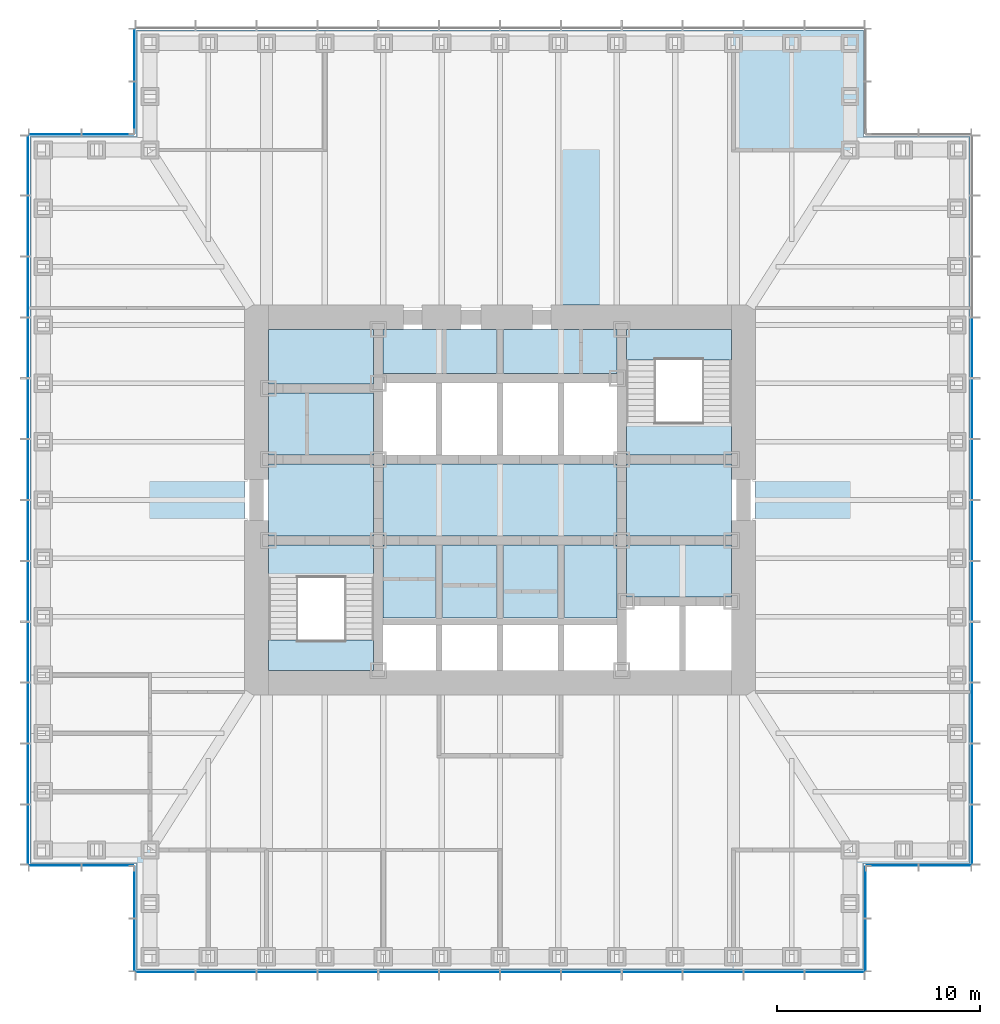
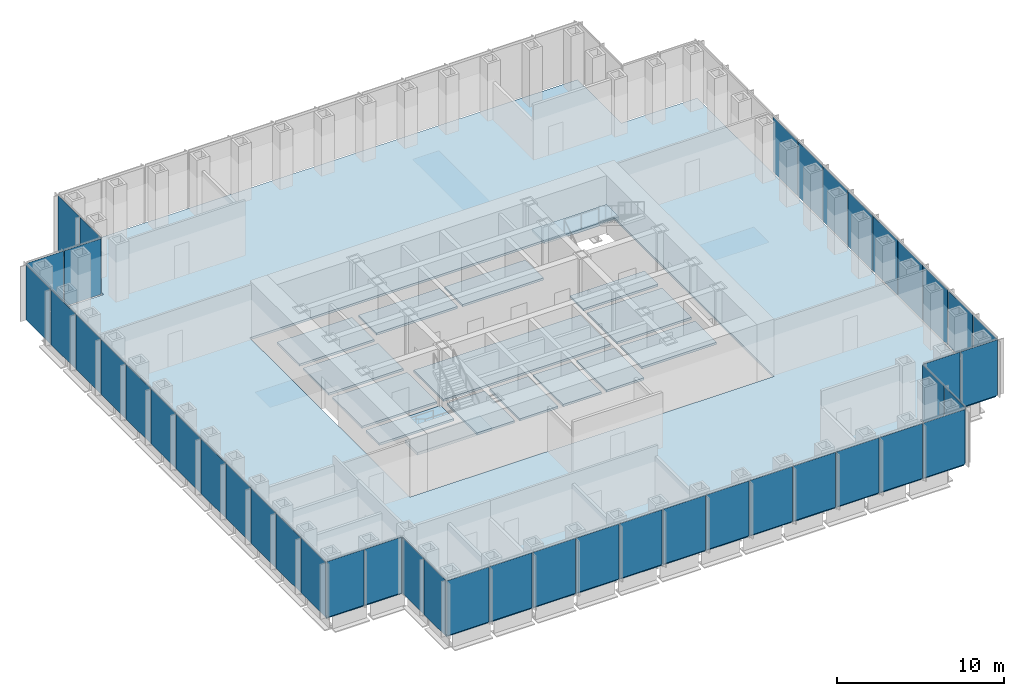
# One storey, part 7 of 16: 45 plates, 17 slabs, 11 elements without a shape of their own.
"""IFC4 building model written with IfcOpenShell, lengths in metres."""

from ifc_helpers import new_model, si_unit, direction, frame, origin, origin_2d, place, context, subcontext, project, spatial, polyline, rectangle, outline, extrude, material, layer, layer_set, type_object, element, aggregate, save


model = new_model("IFC4")

# Units and contexts
model_context = context("Model", 3, precision=1e-05, world=origin(), true_north=direction((0.0, 1.0)))
body_context = subcontext(model_context, "Body", "Model", "MODEL_VIEW")
ifc_project = project(units=[si_unit("LENGTHUNIT", "METRE"), si_unit("AREAUNIT", "SQUARE_METRE"), si_unit("VOLUMEUNIT", "CUBIC_METRE"), si_unit("PLANEANGLEUNIT", "RADIAN"), si_unit("MASSUNIT", "GRAM", prefix="KILO")], contexts=[model_context])

# Site, building, storey
site_placement = place(None, origin())
site = spatial("IfcSite", under=ifc_project, at=site_placement, CompositionType="ELEMENT")
building_placement = place(site_placement, origin())
building = spatial("IfcBuilding", under=site, at=building_placement, Name="Daluyong Arena Tower", CompositionType="ELEMENT")
storey_placement = place(building_placement, frame((0.0, 0.0, 120.699951171875)))
storey = spatial("IfcBuildingStorey", under=building, at=storey_placement, Name="L26", CompositionType="ELEMENT", Elevation=120.699951171875)

# Curtain wall, plates
ifc_material_1 = material(Name="Bronze anodised aluminium and glass", Category="aluminium")
curtain_wall_type_1 = type_object("IfcCurtainWallType", Name="Curtain wall CW2", PredefinedType="USERDEFINED", material=ifc_material_1)
curtain_wall_1_placement = place(storey_placement, origin())
curtain_wall_1 = element("IfcCurtainWall", 1, at=curtain_wall_1_placement, inside=storey, type_object=curtain_wall_type_1, Name="curtain wall L26 S", ObjectType="UNITISED CURTAIN WALL", PredefinedType="USERDEFINED")
ifc_material_2 = material(Name="Tinted double glazed unit", Category="glass")
ifc_layer_1 = layer(ifc_material_2, 0.031982421875)
ifc_layer_set_1 = layer_set([ifc_layer_1], Name="Tinted double glazed unit")
plate_type_1 = type_object("IfcPlateType", Name="CW2 panel 32", PredefinedType="CURTAIN_PANEL", material=ifc_layer_set_1)
plate_1_placement = place(storey_placement, frame((39.52001953125, 56.75, 0.0), z_axis=(0.0, 0.0, 1.0), x_axis=(1.0, 0.0, 0.0)))
plate_1 = element("IfcPlate", 2, at=plate_1_placement, type_object=plate_type_1, Name="curtain wall L26 S panel 1", PredefinedType="CURTAIN_PANEL", context=body_context, shape_type="SweptSolid", body=[
    extrude(rectangle(XDim=2.8798828125, YDim=0.031982421875, at=origin_2d()), origin(), (0.0, 0.0, 1.0), 4.02001953125),
])
plate_2_placement = place(storey_placement, frame((42.5, 56.75, 0.0), z_axis=(0.0, 0.0, 1.0), x_axis=(1.0, 0.0, 0.0)))
plate_2 = element("IfcPlate", 3, at=plate_2_placement, type_object=plate_type_1, Name="curtain wall L26 S panel 2", PredefinedType="CURTAIN_PANEL", context=body_context, shape_type="SweptSolid", body=[
    extrude(rectangle(XDim=2.919921875, YDim=0.031982421875, at=origin_2d()), origin(), (0.0, 0.0, 1.0), 4.02001953125),
])
plate_3_placement = place(storey_placement, frame((45.5, 56.75, 0.0), z_axis=(0.0, 0.0, 1.0), x_axis=(1.0, 0.0, 0.0)))
plate_3 = element("IfcPlate", 4, at=plate_3_placement, type_object=plate_type_1, Name="curtain wall L26 S panel 3", PredefinedType="CURTAIN_PANEL", context=body_context, shape_type="SweptSolid", body=[
    extrude(rectangle(XDim=2.919921875, YDim=0.031982421875, at=origin_2d()), origin(), (0.0, 0.0, 1.0), 4.02001953125),
])
plate_4_placement = place(storey_placement, frame((48.5, 56.75, 0.0), z_axis=(0.0, 0.0, 1.0), x_axis=(1.0, 0.0, 0.0)))
plate_4 = element("IfcPlate", 5, at=plate_4_placement, type_object=plate_type_1, Name="curtain wall L26 S panel 4", PredefinedType="CURTAIN_PANEL", context=body_context, shape_type="SweptSolid", body=[
    extrude(rectangle(XDim=2.919921875, YDim=0.031982421875, at=origin_2d()), origin(), (0.0, 0.0, 1.0), 4.02001953125),
])
plate_5_placement = place(storey_placement, frame((51.5, 56.75, 0.0), z_axis=(0.0, 0.0, 1.0), x_axis=(1.0, 0.0, 0.0)))
plate_5 = element("IfcPlate", 6, at=plate_5_placement, type_object=plate_type_1, Name="curtain wall L26 S panel 5", PredefinedType="CURTAIN_PANEL", context=body_context, shape_type="SweptSolid", body=[
    extrude(rectangle(XDim=2.919921875, YDim=0.031982421875, at=origin_2d()), origin(), (0.0, 0.0, 1.0), 4.02001953125),
])
plate_6_placement = place(storey_placement, frame((54.5, 56.75, 0.0), z_axis=(0.0, 0.0, 1.0), x_axis=(1.0, 0.0, 0.0)))
plate_6 = element("IfcPlate", 7, at=plate_6_placement, type_object=plate_type_1, Name="curtain wall L26 S panel 6", PredefinedType="CURTAIN_PANEL", context=body_context, shape_type="SweptSolid", body=[
    extrude(rectangle(XDim=2.919921875, YDim=0.031982421875, at=origin_2d()), origin(), (0.0, 0.0, 1.0), 4.02001953125),
])
plate_7_placement = place(storey_placement, frame((57.5, 56.75, 0.0), z_axis=(0.0, 0.0, 1.0), x_axis=(1.0, 0.0, 0.0)))
plate_7 = element("IfcPlate", 8, at=plate_7_placement, type_object=plate_type_1, Name="curtain wall L26 S panel 7", PredefinedType="CURTAIN_PANEL", context=body_context, shape_type="SweptSolid", body=[
    extrude(rectangle(XDim=2.919921875, YDim=0.031982421875, at=origin_2d()), origin(), (0.0, 0.0, 1.0), 4.02001953125),
])
plate_8_placement = place(storey_placement, frame((60.5, 56.75, 0.0), z_axis=(0.0, 0.0, 1.0), x_axis=(1.0, 0.0, 0.0)))
plate_8 = element("IfcPlate", 9, at=plate_8_placement, type_object=plate_type_1, Name="curtain wall L26 S panel 8", PredefinedType="CURTAIN_PANEL", context=body_context, shape_type="SweptSolid", body=[
    extrude(rectangle(XDim=2.919921875, YDim=0.031982421875, at=origin_2d()), origin(), (0.0, 0.0, 1.0), 4.02001953125),
])
plate_9_placement = place(storey_placement, frame((63.5, 56.75, 0.0), z_axis=(0.0, 0.0, 1.0), x_axis=(1.0, 0.0, 0.0)))
plate_9 = element("IfcPlate", 10, at=plate_9_placement, type_object=plate_type_1, Name="curtain wall L26 S panel 9", PredefinedType="CURTAIN_PANEL", context=body_context, shape_type="SweptSolid", body=[
    extrude(rectangle(XDim=2.919921875, YDim=0.031982421875, at=origin_2d()), origin(), (0.0, 0.0, 1.0), 4.02001953125),
])
plate_10_placement = place(storey_placement, frame((66.5, 56.75, 0.0), z_axis=(0.0, 0.0, 1.0), x_axis=(1.0, 0.0, 0.0)))
plate_10 = element("IfcPlate", 11, at=plate_10_placement, type_object=plate_type_1, Name="curtain wall L26 S panel 10", PredefinedType="CURTAIN_PANEL", context=body_context, shape_type="SweptSolid", body=[
    extrude(rectangle(XDim=2.919921875, YDim=0.031982421875, at=origin_2d()), origin(), (0.0, 0.0, 1.0), 4.02001953125),
])
plate_11_placement = place(storey_placement, frame((69.5, 56.75, 0.0), z_axis=(0.0, 0.0, 1.0), x_axis=(1.0, 0.0, 0.0)))
plate_11 = element("IfcPlate", 12, at=plate_11_placement, type_object=plate_type_1, Name="curtain wall L26 S panel 11", PredefinedType="CURTAIN_PANEL", context=body_context, shape_type="SweptSolid", body=[
    extrude(rectangle(XDim=2.919921875, YDim=0.031982421875, at=origin_2d()), origin(), (0.0, 0.0, 1.0), 4.02001953125),
])
plate_12_placement = place(storey_placement, frame((72.47998046875, 56.75, 0.0), z_axis=(0.0, 0.0, 1.0), x_axis=(1.0, 0.0, 0.0)))
plate_12 = element("IfcPlate", 13, at=plate_12_placement, type_object=plate_type_1, Name="curtain wall L26 S panel 12", PredefinedType="CURTAIN_PANEL", context=body_context, shape_type="SweptSolid", body=[
    extrude(rectangle(XDim=2.8798828125, YDim=0.031982421875, at=origin_2d()), origin(), (0.0, 0.0, 1.0), 4.02001953125),
])
aggregate(curtain_wall_1, [plate_1, plate_2, plate_3, plate_4, plate_5, plate_6, plate_7, plate_8, plate_9, plate_10, plate_11, plate_12])

curtain_wall_2_placement = place(storey_placement, origin())
curtain_wall_2 = element("IfcCurtainWall", 14, at=curtain_wall_2_placement, inside=storey, type_object=curtain_wall_type_1, Name="curtain wall L26 E", ObjectType="UNITISED CURTAIN WALL", PredefinedType="USERDEFINED")
plate_13_placement = place(storey_placement, frame((79.25, 63.52001953125, 0.0), z_axis=(0.0, 0.0, 1.0), x_axis=(0.0, 1.0, 0.0)))
plate_13 = element("IfcPlate", 15, at=plate_13_placement, type_object=plate_type_1, Name="curtain wall L26 E panel 1", PredefinedType="CURTAIN_PANEL", context=body_context, shape_type="SweptSolid", body=[
    extrude(rectangle(XDim=2.8798828125, YDim=0.031982421875, at=origin_2d()), origin(), (0.0, 0.0, 1.0), 4.02001953125),
])
plate_14_placement = place(storey_placement, frame((79.25, 66.5, 0.0), z_axis=(0.0, 0.0, 1.0), x_axis=(0.0, 1.0, 0.0)))
plate_14 = element("IfcPlate", 16, at=plate_14_placement, type_object=plate_type_1, Name="curtain wall L26 E panel 2", PredefinedType="CURTAIN_PANEL", context=body_context, shape_type="SweptSolid", body=[
    extrude(rectangle(XDim=2.919921875, YDim=0.031982421875, at=origin_2d()), origin(), (0.0, 0.0, 1.0), 4.02001953125),
])
plate_15_placement = place(storey_placement, frame((79.25, 69.5, 0.0), z_axis=(0.0, 0.0, 1.0), x_axis=(0.0, 1.0, 0.0)))
plate_15 = element("IfcPlate", 17, at=plate_15_placement, type_object=plate_type_1, Name="curtain wall L26 E panel 3", PredefinedType="CURTAIN_PANEL", context=body_context, shape_type="SweptSolid", body=[
    extrude(rectangle(XDim=2.919921875, YDim=0.031982421875, at=origin_2d()), origin(), (0.0, 0.0, 1.0), 4.02001953125),
])
plate_16_placement = place(storey_placement, frame((79.25, 72.5, 0.0), z_axis=(0.0, 0.0, 1.0), x_axis=(0.0, 1.0, 0.0)))
plate_16 = element("IfcPlate", 18, at=plate_16_placement, type_object=plate_type_1, Name="curtain wall L26 E panel 4", PredefinedType="CURTAIN_PANEL", context=body_context, shape_type="SweptSolid", body=[
    extrude(rectangle(XDim=2.919921875, YDim=0.031982421875, at=origin_2d()), origin(), (0.0, 0.0, 1.0), 4.02001953125),
])
plate_17_placement = place(storey_placement, frame((79.25, 75.5, 0.0), z_axis=(0.0, 0.0, 1.0), x_axis=(0.0, 1.0, 0.0)))
plate_17 = element("IfcPlate", 19, at=plate_17_placement, type_object=plate_type_1, Name="curtain wall L26 E panel 5", PredefinedType="CURTAIN_PANEL", context=body_context, shape_type="SweptSolid", body=[
    extrude(rectangle(XDim=2.919921875, YDim=0.031982421875, at=origin_2d()), origin(), (0.0, 0.0, 1.0), 4.02001953125),
])
plate_18_placement = place(storey_placement, frame((79.25, 78.5, 0.0), z_axis=(0.0, 0.0, 1.0), x_axis=(0.0, 1.0, 0.0)))
plate_18 = element("IfcPlate", 20, at=plate_18_placement, type_object=plate_type_1, Name="curtain wall L26 E panel 6", PredefinedType="CURTAIN_PANEL", context=body_context, shape_type="SweptSolid", body=[
    extrude(rectangle(XDim=2.919921875, YDim=0.031982421875, at=origin_2d()), origin(), (0.0, 0.0, 1.0), 4.02001953125),
])
plate_19_placement = place(storey_placement, frame((79.25, 81.5, 0.0), z_axis=(0.0, 0.0, 1.0), x_axis=(0.0, 1.0, 0.0)))
plate_19 = element("IfcPlate", 21, at=plate_19_placement, type_object=plate_type_1, Name="curtain wall L26 E panel 7", PredefinedType="CURTAIN_PANEL", context=body_context, shape_type="SweptSolid", body=[
    extrude(rectangle(XDim=2.919921875, YDim=0.031982421875, at=origin_2d()), origin(), (0.0, 0.0, 1.0), 4.02001953125),
])
plate_20_placement = place(storey_placement, frame((79.25, 84.5, 0.0), z_axis=(0.0, 0.0, 1.0), x_axis=(0.0, 1.0, 0.0)))
plate_20 = element("IfcPlate", 22, at=plate_20_placement, type_object=plate_type_1, Name="curtain wall L26 E panel 8", PredefinedType="CURTAIN_PANEL", context=body_context, shape_type="SweptSolid", body=[
    extrude(rectangle(XDim=2.919921875, YDim=0.031982421875, at=origin_2d()), origin(), (0.0, 0.0, 1.0), 4.02001953125),
])
plate_21_placement = place(storey_placement, frame((79.25, 87.5, 0.0), z_axis=(0.0, 0.0, 1.0), x_axis=(0.0, 1.0, 0.0)))
plate_21 = element("IfcPlate", 23, at=plate_21_placement, type_object=plate_type_1, Name="curtain wall L26 E panel 9", PredefinedType="CURTAIN_PANEL", context=body_context, shape_type="SweptSolid", body=[
    extrude(rectangle(XDim=2.919921875, YDim=0.031982421875, at=origin_2d()), origin(), (0.0, 0.0, 1.0), 4.02001953125),
])
aggregate(curtain_wall_2, [plate_13, plate_14, plate_15, plate_16, plate_17, plate_18, plate_19, plate_20, plate_21])

curtain_wall_3_placement = place(storey_placement, origin())
curtain_wall_3 = element("IfcCurtainWall", 24, at=curtain_wall_3_placement, inside=storey, type_object=curtain_wall_type_1, Name="curtain wall L26 W", ObjectType="UNITISED CURTAIN WALL", PredefinedType="USERDEFINED")
plate_22_placement = place(storey_placement, frame((32.75, 96.47998046875, 0.0), z_axis=(0.0, 0.0, 1.0), x_axis=(0.0, -1.0, 0.0)))
plate_22 = element("IfcPlate", 25, at=plate_22_placement, type_object=plate_type_1, Name="curtain wall L26 W panel 1", PredefinedType="CURTAIN_PANEL", context=body_context, shape_type="SweptSolid", body=[
    extrude(rectangle(XDim=2.8798828125, YDim=0.031982421875, at=origin_2d()), origin(), (0.0, 0.0, 1.0), 4.02001953125),
])
plate_23_placement = place(storey_placement, frame((32.75, 93.5, 0.0), z_axis=(0.0, 0.0, 1.0), x_axis=(0.0, -1.0, 0.0)))
plate_23 = element("IfcPlate", 26, at=plate_23_placement, type_object=plate_type_1, Name="curtain wall L26 W panel 2", PredefinedType="CURTAIN_PANEL", context=body_context, shape_type="SweptSolid", body=[
    extrude(rectangle(XDim=2.919921875, YDim=0.031982421875, at=origin_2d()), origin(), (0.0, 0.0, 1.0), 4.02001953125),
])
plate_24_placement = place(storey_placement, frame((32.75, 90.5, 0.0), z_axis=(0.0, 0.0, 1.0), x_axis=(0.0, -1.0, 0.0)))
plate_24 = element("IfcPlate", 27, at=plate_24_placement, type_object=plate_type_1, Name="curtain wall L26 W panel 3", PredefinedType="CURTAIN_PANEL", context=body_context, shape_type="SweptSolid", body=[
    extrude(rectangle(XDim=2.919921875, YDim=0.031982421875, at=origin_2d()), origin(), (0.0, 0.0, 1.0), 4.02001953125),
])
plate_25_placement = place(storey_placement, frame((32.75, 87.5, 0.0), z_axis=(0.0, 0.0, 1.0), x_axis=(0.0, -1.0, 0.0)))
plate_25 = element("IfcPlate", 28, at=plate_25_placement, type_object=plate_type_1, Name="curtain wall L26 W panel 4", PredefinedType="CURTAIN_PANEL", context=body_context, shape_type="SweptSolid", body=[
    extrude(rectangle(XDim=2.919921875, YDim=0.031982421875, at=origin_2d()), origin(), (0.0, 0.0, 1.0), 4.02001953125),
])
plate_26_placement = place(storey_placement, frame((32.75, 84.5, 0.0), z_axis=(0.0, 0.0, 1.0), x_axis=(0.0, -1.0, 0.0)))
plate_26 = element("IfcPlate", 29, at=plate_26_placement, type_object=plate_type_1, Name="curtain wall L26 W panel 5", PredefinedType="CURTAIN_PANEL", context=body_context, shape_type="SweptSolid", body=[
    extrude(rectangle(XDim=2.919921875, YDim=0.031982421875, at=origin_2d()), origin(), (0.0, 0.0, 1.0), 4.02001953125),
])
plate_27_placement = place(storey_placement, frame((32.75, 81.5, 0.0), z_axis=(0.0, 0.0, 1.0), x_axis=(0.0, -1.0, 0.0)))
plate_27 = element("IfcPlate", 30, at=plate_27_placement, type_object=plate_type_1, Name="curtain wall L26 W panel 6", PredefinedType="CURTAIN_PANEL", context=body_context, shape_type="SweptSolid", body=[
    extrude(rectangle(XDim=2.919921875, YDim=0.031982421875, at=origin_2d()), origin(), (0.0, 0.0, 1.0), 4.02001953125),
])
plate_28_placement = place(storey_placement, frame((32.75, 78.5, 0.0), z_axis=(0.0, 0.0, 1.0), x_axis=(0.0, -1.0, 0.0)))
plate_28 = element("IfcPlate", 31, at=plate_28_placement, type_object=plate_type_1, Name="curtain wall L26 W panel 7", PredefinedType="CURTAIN_PANEL", context=body_context, shape_type="SweptSolid", body=[
    extrude(rectangle(XDim=2.919921875, YDim=0.031982421875, at=origin_2d()), origin(), (0.0, 0.0, 1.0), 4.02001953125),
])
plate_29_placement = place(storey_placement, frame((32.75, 75.5, 0.0), z_axis=(0.0, 0.0, 1.0), x_axis=(0.0, -1.0, 0.0)))
plate_29 = element("IfcPlate", 32, at=plate_29_placement, type_object=plate_type_1, Name="curtain wall L26 W panel 8", PredefinedType="CURTAIN_PANEL", context=body_context, shape_type="SweptSolid", body=[
    extrude(rectangle(XDim=2.919921875, YDim=0.031982421875, at=origin_2d()), origin(), (0.0, 0.0, 1.0), 4.02001953125),
])
plate_30_placement = place(storey_placement, frame((32.75, 72.5, 0.0), z_axis=(0.0, 0.0, 1.0), x_axis=(0.0, -1.0, 0.0)))
plate_30 = element("IfcPlate", 33, at=plate_30_placement, type_object=plate_type_1, Name="curtain wall L26 W panel 9", PredefinedType="CURTAIN_PANEL", context=body_context, shape_type="SweptSolid", body=[
    extrude(rectangle(XDim=2.919921875, YDim=0.031982421875, at=origin_2d()), origin(), (0.0, 0.0, 1.0), 4.02001953125),
])
plate_31_placement = place(storey_placement, frame((32.75, 69.5, 0.0), z_axis=(0.0, 0.0, 1.0), x_axis=(0.0, -1.0, 0.0)))
plate_31 = element("IfcPlate", 34, at=plate_31_placement, type_object=plate_type_1, Name="curtain wall L26 W panel 10", PredefinedType="CURTAIN_PANEL", context=body_context, shape_type="SweptSolid", body=[
    extrude(rectangle(XDim=2.919921875, YDim=0.031982421875, at=origin_2d()), origin(), (0.0, 0.0, 1.0), 4.02001953125),
])
plate_32_placement = place(storey_placement, frame((32.75, 66.5, 0.0), z_axis=(0.0, 0.0, 1.0), x_axis=(0.0, -1.0, 0.0)))
plate_32 = element("IfcPlate", 35, at=plate_32_placement, type_object=plate_type_1, Name="curtain wall L26 W panel 11", PredefinedType="CURTAIN_PANEL", context=body_context, shape_type="SweptSolid", body=[
    extrude(rectangle(XDim=2.919921875, YDim=0.031982421875, at=origin_2d()), origin(), (0.0, 0.0, 1.0), 4.02001953125),
])
plate_33_placement = place(storey_placement, frame((32.75, 63.52001953125, 0.0), z_axis=(0.0, 0.0, 1.0), x_axis=(0.0, -1.0, 0.0)))
plate_33 = element("IfcPlate", 36, at=plate_33_placement, type_object=plate_type_1, Name="curtain wall L26 W panel 12", PredefinedType="CURTAIN_PANEL", context=body_context, shape_type="SweptSolid", body=[
    extrude(rectangle(XDim=2.8798828125, YDim=0.031982421875, at=origin_2d()), origin(), (0.0, 0.0, 1.0), 4.02001953125),
])
aggregate(curtain_wall_3, [plate_22, plate_23, plate_24, plate_25, plate_26, plate_27, plate_28, plate_29, plate_30, plate_31, plate_32, plate_33])

ifc_material_3 = material(Name="Bronze anodised aluminium and glass", Category="aluminium")
curtain_wall_type_2 = type_object("IfcCurtainWallType", Name="Curtain wall CW7", PredefinedType="USERDEFINED", material=ifc_material_3)
curtain_wall_4_placement = place(storey_placement, origin())
curtain_wall_4 = element("IfcCurtainWall", 37, at=curtain_wall_4_placement, inside=storey, type_object=curtain_wall_type_2, Name="curtain wall L26 SE-E", ObjectType="UNITISED CURTAIN WALL", PredefinedType="USERDEFINED")
ifc_material_4 = material(Name="Tinted double glazed unit", Category="glass")
ifc_layer_2 = layer(ifc_material_4, 0.028076171875)
ifc_layer_set_2 = layer_set([ifc_layer_2], Name="Tinted double glazed unit")
plate_type_2 = type_object("IfcPlateType", Name="CW7 panel 28", PredefinedType="CURTAIN_PANEL", material=ifc_layer_set_2)
plate_34_placement = place(storey_placement, frame((74.0, 58.077392578125, 0.0), z_axis=(0.0, 0.0, 1.0), x_axis=(0.0, 1.0, 0.0)))
plate_34 = element("IfcPlate", 38, at=plate_34_placement, type_object=plate_type_2, Name="curtain wall L26 SE-E panel 1", PredefinedType="CURTAIN_PANEL", context=body_context, shape_type="SweptSolid", body=[
    extrude(rectangle(XDim=2.534912109375, YDim=0.028076171875, at=origin_2d()), origin(), (0.0, 0.0, 1.0), 4.080078125),
])
plate_35_placement = place(storey_placement, frame((74.0, 60.672607421875, 0.0), z_axis=(0.0, 0.0, 1.0), x_axis=(0.0, 1.0, 0.0)))
plate_35 = element("IfcPlate", 39, at=plate_35_placement, type_object=plate_type_2, Name="curtain wall L26 SE-E panel 2", PredefinedType="CURTAIN_PANEL", context=body_context, shape_type="SweptSolid", body=[
    extrude(rectangle(XDim=2.534912109375, YDim=0.028076171875, at=origin_2d()), origin(), (0.0, 0.0, 1.0), 4.080078125),
])
aggregate(curtain_wall_4, [plate_34, plate_35])

curtain_wall_5_placement = place(storey_placement, origin())
curtain_wall_5 = element("IfcCurtainWall", 40, at=curtain_wall_5_placement, inside=storey, type_object=curtain_wall_type_2, Name="curtain wall L26 SE-S", ObjectType="UNITISED CURTAIN WALL", PredefinedType="USERDEFINED")
plate_36_placement = place(storey_placement, frame((75.327392578125, 62.0, 0.0), z_axis=(0.0, 0.0, 1.0), x_axis=(1.0, 0.0, 0.0)))
plate_36 = element("IfcPlate", 41, at=plate_36_placement, type_object=plate_type_2, Name="curtain wall L26 SE-S panel 1", PredefinedType="CURTAIN_PANEL", context=body_context, shape_type="SweptSolid", body=[
    extrude(rectangle(XDim=2.534912109375, YDim=0.028076171875, at=origin_2d()), origin(), (0.0, 0.0, 1.0), 4.080078125),
])
plate_37_placement = place(storey_placement, frame((77.922607421875, 62.0, 0.0), z_axis=(0.0, 0.0, 1.0), x_axis=(1.0, 0.0, 0.0)))
plate_37 = element("IfcPlate", 42, at=plate_37_placement, type_object=plate_type_2, Name="curtain wall L26 SE-S panel 2", PredefinedType="CURTAIN_PANEL", context=body_context, shape_type="SweptSolid", body=[
    extrude(rectangle(XDim=2.534912109375, YDim=0.028076171875, at=origin_2d()), origin(), (0.0, 0.0, 1.0), 4.080078125),
])
aggregate(curtain_wall_5, [plate_36, plate_37])

curtain_wall_6_placement = place(storey_placement, origin())
curtain_wall_6 = element("IfcCurtainWall", 43, at=curtain_wall_6_placement, inside=storey, type_object=curtain_wall_type_2, Name="curtain wall L26 NW-W", ObjectType="UNITISED CURTAIN WALL", PredefinedType="USERDEFINED")
plate_38_placement = place(storey_placement, frame((38.0, 101.922607421875, 0.0), z_axis=(0.0, 0.0, 1.0), x_axis=(0.0, -1.0, 0.0)))
plate_38 = element("IfcPlate", 44, at=plate_38_placement, type_object=plate_type_2, Name="curtain wall L26 NW-W panel 1", PredefinedType="CURTAIN_PANEL", context=body_context, shape_type="SweptSolid", body=[
    extrude(rectangle(XDim=2.534912109375, YDim=0.028076171875, at=origin_2d()), origin(), (0.0, 0.0, 1.0), 4.080078125),
])
plate_39_placement = place(storey_placement, frame((38.0, 99.327392578125, 0.0), z_axis=(0.0, 0.0, 1.0), x_axis=(0.0, -1.0, 0.0)))
plate_39 = element("IfcPlate", 45, at=plate_39_placement, type_object=plate_type_2, Name="curtain wall L26 NW-W panel 2", PredefinedType="CURTAIN_PANEL", context=body_context, shape_type="SweptSolid", body=[
    extrude(rectangle(XDim=2.534912109375, YDim=0.028076171875, at=origin_2d()), origin(), (0.0, 0.0, 1.0), 4.080078125),
])
aggregate(curtain_wall_6, [plate_38, plate_39])

curtain_wall_7_placement = place(storey_placement, origin())
curtain_wall_7 = element("IfcCurtainWall", 46, at=curtain_wall_7_placement, inside=storey, type_object=curtain_wall_type_2, Name="curtain wall L26 NW-N", ObjectType="UNITISED CURTAIN WALL", PredefinedType="USERDEFINED")
plate_40_placement = place(storey_placement, frame((36.672607421875, 98.0, 0.0), z_axis=(0.0, 0.0, 1.0), x_axis=(-1.0, 0.0, 0.0)))
plate_40 = element("IfcPlate", 47, at=plate_40_placement, type_object=plate_type_2, Name="curtain wall L26 NW-N panel 1", PredefinedType="CURTAIN_PANEL", context=body_context, shape_type="SweptSolid", body=[
    extrude(rectangle(XDim=2.534912109375, YDim=0.028076171875, at=origin_2d()), origin(), (0.0, 0.0, 1.0), 4.080078125),
])
plate_41_placement = place(storey_placement, frame((34.077392578125, 98.0, 0.0), z_axis=(0.0, 0.0, 1.0), x_axis=(-1.0, 0.0, 0.0)))
plate_41 = element("IfcPlate", 48, at=plate_41_placement, type_object=plate_type_2, Name="curtain wall L26 NW-N panel 2", PredefinedType="CURTAIN_PANEL", context=body_context, shape_type="SweptSolid", body=[
    extrude(rectangle(XDim=2.534912109375, YDim=0.028076171875, at=origin_2d()), origin(), (0.0, 0.0, 1.0), 4.080078125),
])
aggregate(curtain_wall_7, [plate_40, plate_41])

curtain_wall_8_placement = place(storey_placement, origin())
curtain_wall_8 = element("IfcCurtainWall", 49, at=curtain_wall_8_placement, inside=storey, type_object=curtain_wall_type_2, Name="curtain wall L26 SW-S", ObjectType="UNITISED CURTAIN WALL", PredefinedType="USERDEFINED")
plate_42_placement = place(storey_placement, frame((34.077392578125, 62.0, 0.0), z_axis=(0.0, 0.0, 1.0), x_axis=(1.0, 0.0, 0.0)))
plate_42 = element("IfcPlate", 50, at=plate_42_placement, type_object=plate_type_2, Name="curtain wall L26 SW-S panel 1", PredefinedType="CURTAIN_PANEL", context=body_context, shape_type="SweptSolid", body=[
    extrude(rectangle(XDim=2.534912109375, YDim=0.028076171875, at=origin_2d()), origin(), (0.0, 0.0, 1.0), 4.080078125),
])
plate_43_placement = place(storey_placement, frame((36.672607421875, 62.0, 0.0), z_axis=(0.0, 0.0, 1.0), x_axis=(1.0, 0.0, 0.0)))
plate_43 = element("IfcPlate", 51, at=plate_43_placement, type_object=plate_type_2, Name="curtain wall L26 SW-S panel 2", PredefinedType="CURTAIN_PANEL", context=body_context, shape_type="SweptSolid", body=[
    extrude(rectangle(XDim=2.534912109375, YDim=0.028076171875, at=origin_2d()), origin(), (0.0, 0.0, 1.0), 4.080078125),
])
aggregate(curtain_wall_8, [plate_42, plate_43])

curtain_wall_9_placement = place(storey_placement, origin())
curtain_wall_9 = element("IfcCurtainWall", 52, at=curtain_wall_9_placement, inside=storey, type_object=curtain_wall_type_2, Name="curtain wall L26 SW-W", ObjectType="UNITISED CURTAIN WALL", PredefinedType="USERDEFINED")
plate_44_placement = place(storey_placement, frame((38.0, 60.672607421875, 0.0), z_axis=(0.0, 0.0, 1.0), x_axis=(0.0, -1.0, 0.0)))
plate_44 = element("IfcPlate", 53, at=plate_44_placement, type_object=plate_type_2, Name="curtain wall L26 SW-W panel 1", PredefinedType="CURTAIN_PANEL", context=body_context, shape_type="SweptSolid", body=[
    extrude(rectangle(XDim=2.534912109375, YDim=0.028076171875, at=origin_2d()), origin(), (0.0, 0.0, 1.0), 4.080078125),
])
plate_45_placement = place(storey_placement, frame((38.0, 58.077392578125, 0.0), z_axis=(0.0, 0.0, 1.0), x_axis=(0.0, -1.0, 0.0)))
plate_45 = element("IfcPlate", 54, at=plate_45_placement, type_object=plate_type_2, Name="curtain wall L26 SW-W panel 2", PredefinedType="CURTAIN_PANEL", context=body_context, shape_type="SweptSolid", body=[
    extrude(rectangle(XDim=2.534912109375, YDim=0.028076171875, at=origin_2d()), origin(), (0.0, 0.0, 1.0), 4.080078125),
])
aggregate(curtain_wall_9, [plate_44, plate_45])

# Stair, slab
ifc_material_5 = material(Name="Concrete fc' 35 MPa", Category="concrete")
stair_type = type_object("IfcStairType", Name="Core exit stair", PredefinedType="HALF_TURN_STAIR", material=ifc_material_5)
stair_1_placement = place(storey_placement, origin())
stair_1 = element("IfcStair", 55, at=stair_1_placement, inside=storey, type_object=stair_type, Name="exit stair A L26", PredefinedType="HALF_TURN_STAIR")
ifc_material_6 = material(Name="Concrete fc' 35 MPa", Category="concrete")
ifc_layer_3 = layer(ifc_material_6, 0.199951171875)
ifc_layer_set_3 = layer_set([ifc_layer_3], Name="Concrete fc' 35 MPa")
slab_type_1 = type_object("IfcSlabType", Name="Stair landing 200", PredefinedType="LANDING", material=ifc_layer_set_3)
slab_1_placement = place(storey_placement, frame((0.0, 0.0, 1.900146484375)))
slab_1 = element("IfcSlab", 56, at=slab_1_placement, type_object=slab_type_1, Name="STA landing 1", PredefinedType="LANDING", context=body_context, shape_type="SweptSolid", body=[
    extrude(outline(polyline([(44.60009765625, 71.60009765625), (49.77490234375, 71.60009765625), (49.77490234375, 73.094970703125), (44.60009765625, 73.094970703125), (44.60009765625, 71.60009765625)])), origin(), (0.0, 0.0, 1.0), 0.199951171875),
])
aggregate(stair_1, [slab_1])

stair_2_placement = place(storey_placement, origin())
stair_2 = element("IfcStair", 57, at=stair_2_placement, inside=storey, type_object=stair_type, Name="exit stair B L26", PredefinedType="HALF_TURN_STAIR")
slab_2_placement = place(storey_placement, frame((0.0, 0.0, 1.900146484375)))
slab_2 = element("IfcSlab", 58, at=slab_2_placement, type_object=slab_type_1, Name="STB landing 1", PredefinedType="LANDING", context=body_context, shape_type="SweptSolid", body=[
    extrude(outline(polyline([(62.22509765625, 86.905029296875), (67.39990234375, 86.905029296875), (67.39990234375, 88.39990234375), (62.22509765625, 88.39990234375), (62.22509765625, 86.905029296875)])), origin(), (0.0, 0.0, 1.0), 0.199951171875),
])
aggregate(stair_2, [slab_2])

# Slabs
ifc_material_7 = material(Name="Concrete fc' 35 MPa", Category="concrete")
ifc_layer_4 = layer(ifc_material_7, 0.159912109375)
ifc_layer_set_4 = layer_set([ifc_layer_4], Name="Concrete fc' 35 MPa")
slab_type_2 = type_object("IfcSlabType", Name="Tower floor slab 160", PredefinedType="FLOOR", material=ifc_layer_set_4)
slab_3_placement = place(storey_placement, frame((0.0, 0.0, -0.159912109375)))
element("IfcSlab", 59, at=slab_3_placement, inside=storey, type_object=slab_type_2, Name="floor L26 part 1", PredefinedType="FLOOR", context=body_context, shape_type="SweptSolid", body=[
    extrude(outline(polyline([(49.77490234375, 76.175048828125), (49.77490234375, 77.77490234375), (44.60009765625, 77.77490234375), (44.60009765625, 76.175048828125), (49.77490234375, 76.175048828125)])), origin(), (0.0, 0.0, 1.0), 0.159912109375),
])
slab_4_placement = place(storey_placement, frame((0.0, 0.0, -0.159912109375)))
element("IfcSlab", 60, at=slab_4_placement, inside=storey, type_object=slab_type_2, Name="floor L26 part 2", PredefinedType="FLOOR", context=body_context, shape_type="SweptSolid", body=[
    extrude(outline(polyline([(44.60009765625, 78.22509765625), (49.77490234375, 78.22509765625), (49.77490234375, 81.77490234375), (44.60009765625, 81.77490234375), (44.60009765625, 78.22509765625)])), origin(), (0.0, 0.0, 1.0), 0.159912109375),
])
slab_5_placement = place(storey_placement, frame((0.0, 0.0, -0.159912109375)))
element("IfcSlab", 61, at=slab_5_placement, inside=storey, type_object=slab_type_2, Name="floor L26 part 3", PredefinedType="FLOOR", context=body_context, shape_type="SweptSolid", body=[
    extrude(outline(polyline([(44.60009765625, 82.22509765625), (49.77490234375, 82.22509765625), (49.77490234375, 85.27490234375), (44.60009765625, 85.27490234375), (44.60009765625, 82.22509765625)])), origin(), (0.0, 0.0, 1.0), 0.159912109375),
])
slab_6_placement = place(storey_placement, frame((0.0, 0.0, -0.159912109375)))
element("IfcSlab", 62, at=slab_6_placement, inside=storey, type_object=slab_type_2, Name="floor L26 part 4", PredefinedType="FLOOR", context=body_context, shape_type="SweptSolid", body=[
    extrude(outline(polyline([(49.77490234375, 88.39990234375), (44.60009765625, 88.39990234375), (44.60009765625, 85.72509765625), (49.77490234375, 85.72509765625), (49.77490234375, 88.39990234375)])), origin(), (0.0, 0.0, 1.0), 0.159912109375),
])
slab_7_placement = place(storey_placement, frame((0.0, 0.0, -0.159912109375)))
element("IfcSlab", 63, at=slab_7_placement, inside=storey, type_object=slab_type_2, Name="floor L26 part 5", PredefinedType="FLOOR", context=body_context, shape_type="SweptSolid", body=[
    extrude(outline(polyline([(52.824951171875, 77.77490234375), (50.22509765625, 77.77490234375), (50.22509765625, 74.175048828125), (52.824951171875, 74.175048828125), (52.824951171875, 77.77490234375)])), origin(), (0.0, 0.0, 1.0), 0.159912109375),
])
slab_8_placement = place(storey_placement, frame((0.0, 0.0, -0.159912109375)))
element("IfcSlab", 64, at=slab_8_placement, inside=storey, type_object=slab_type_2, Name="floor L26 part 6", PredefinedType="FLOOR", context=body_context, shape_type="SweptSolid", body=[
    extrude(outline(polyline([(55.824951171875, 88.39990234375), (50.22509765625, 88.39990234375), (50.22509765625, 86.22509765625), (55.824951171875, 86.22509765625), (55.824951171875, 88.39990234375)])), origin(), (0.0, 0.0, 1.0), 0.159912109375),
])
slab_9_placement = place(storey_placement, frame((0.0, 0.0, -0.159912109375)))
element("IfcSlab", 65, at=slab_9_placement, inside=storey, type_object=slab_type_2, Name="floor L26 part 7", PredefinedType="FLOOR", context=body_context, shape_type="SweptSolid", body=[
    extrude(outline(polyline([(55.824951171875, 77.77490234375), (53.175048828125, 77.77490234375), (53.175048828125, 74.175048828125), (55.824951171875, 74.175048828125), (55.824951171875, 77.77490234375)])), origin(), (0.0, 0.0, 1.0), 0.159912109375),
])
slab_10_placement = place(storey_placement, frame((0.0, 0.0, -0.159912109375)))
element("IfcSlab", 66, at=slab_10_placement, inside=storey, type_object=slab_type_2, Name="floor L26 part 8", PredefinedType="FLOOR", context=body_context, shape_type="SweptSolid", body=[
    extrude(outline(polyline([(38.10009765625, 62.10009765625), (38.10009765625, 56.85009765625), (73.89990234375, 56.85009765625), (73.89990234375, 62.10009765625), (79.14990234375, 62.10009765625), (79.14990234375, 97.89990234375), (73.89990234375, 97.89990234375), (73.89990234375, 103.14990234375), (38.10009765625, 103.14990234375), (38.10009765625, 97.89990234375), (32.85009765625, 97.89990234375), (32.85009765625, 62.10009765625), (38.10009765625, 62.10009765625)]), holes=[polyline([(68.60009765625, 89.60009765625), (68.60009765625, 70.39990234375), (43.39990234375, 70.39990234375), (43.39990234375, 89.60009765625), (68.60009765625, 89.60009765625)])]), origin(), (0.0, 0.0, 1.0), 0.159912109375),
])
slab_11_placement = place(storey_placement, frame((0.0, 0.0, -0.159912109375)))
element("IfcSlab", 67, at=slab_11_placement, inside=storey, type_object=slab_type_2, Name="floor L26 part 9", PredefinedType="FLOOR", context=body_context, shape_type="SweptSolid", body=[
    extrude(outline(polyline([(61.77490234375, 78.22509765625), (61.77490234375, 81.77490234375), (50.22509765625, 81.77490234375), (50.22509765625, 78.22509765625), (61.77490234375, 78.22509765625)])), origin(), (0.0, 0.0, 1.0), 0.159912109375),
])
slab_12_placement = place(storey_placement, frame((0.0, 0.0, -0.159912109375)))
element("IfcSlab", 68, at=slab_12_placement, inside=storey, type_object=slab_type_2, Name="floor L26 part 10", PredefinedType="FLOOR", context=body_context, shape_type="SweptSolid", body=[
    extrude(outline(polyline([(58.824951171875, 77.77490234375), (56.175048828125, 77.77490234375), (56.175048828125, 74.175048828125), (58.824951171875, 74.175048828125), (58.824951171875, 77.77490234375)])), origin(), (0.0, 0.0, 1.0), 0.159912109375),
])
slab_13_placement = place(storey_placement, frame((0.0, 0.0, -0.159912109375)))
element("IfcSlab", 69, at=slab_13_placement, inside=storey, type_object=slab_type_2, Name="floor L26 part 11", PredefinedType="FLOOR", context=body_context, shape_type="SweptSolid", body=[
    extrude(outline(polyline([(56.175048828125, 88.39990234375), (56.175048828125, 86.22509765625), (61.77490234375, 86.22509765625), (61.77490234375, 88.39990234375), (56.175048828125, 88.39990234375)])), origin(), (0.0, 0.0, 1.0), 0.159912109375),
])
slab_14_placement = place(storey_placement, frame((0.0, 0.0, -0.159912109375)))
element("IfcSlab", 70, at=slab_14_placement, inside=storey, type_object=slab_type_2, Name="floor L26 part 12", PredefinedType="FLOOR", context=body_context, shape_type="SweptSolid", body=[
    extrude(outline(polyline([(59.175048828125, 77.77490234375), (59.175048828125, 74.175048828125), (61.77490234375, 74.175048828125), (61.77490234375, 77.77490234375), (59.175048828125, 77.77490234375)])), origin(), (0.0, 0.0, 1.0), 0.159912109375),
])
slab_15_placement = place(storey_placement, frame((0.0, 0.0, -0.159912109375)))
element("IfcSlab", 71, at=slab_15_placement, inside=storey, type_object=slab_type_2, Name="floor L26 part 13", PredefinedType="FLOOR", context=body_context, shape_type="SweptSolid", body=[
    extrude(outline(polyline([(62.22509765625, 75.22509765625), (67.39990234375, 75.22509765625), (67.39990234375, 77.77490234375), (62.22509765625, 77.77490234375), (62.22509765625, 75.22509765625)])), origin(), (0.0, 0.0, 1.0), 0.159912109375),
])
slab_16_placement = place(storey_placement, frame((0.0, 0.0, -0.159912109375)))
element("IfcSlab", 72, at=slab_16_placement, inside=storey, type_object=slab_type_2, Name="floor L26 part 14", PredefinedType="FLOOR", context=body_context, shape_type="SweptSolid", body=[
    extrude(outline(polyline([(62.22509765625, 78.22509765625), (67.39990234375, 78.22509765625), (67.39990234375, 81.77490234375), (62.22509765625, 81.77490234375), (62.22509765625, 78.22509765625)])), origin(), (0.0, 0.0, 1.0), 0.159912109375),
])
slab_17_placement = place(storey_placement, frame((0.0, 0.0, -0.159912109375)))
element("IfcSlab", 73, at=slab_17_placement, inside=storey, type_object=slab_type_2, Name="floor L26 part 15", PredefinedType="FLOOR", context=body_context, shape_type="SweptSolid", body=[
    extrude(outline(polyline([(62.22509765625, 82.22509765625), (67.39990234375, 82.22509765625), (67.39990234375, 83.824951171875), (62.22509765625, 83.824951171875), (62.22509765625, 82.22509765625)])), origin(), (0.0, 0.0, 1.0), 0.159912109375),
])

save(model, "model.ifc")
